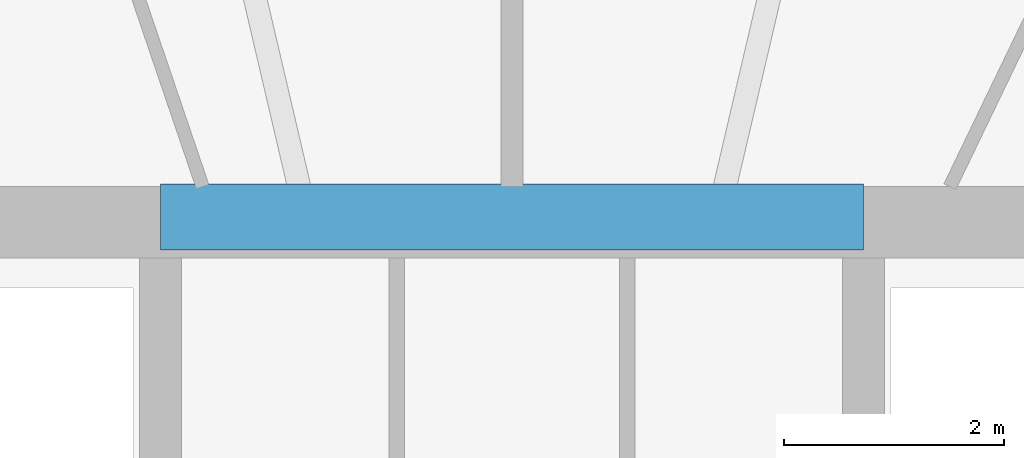
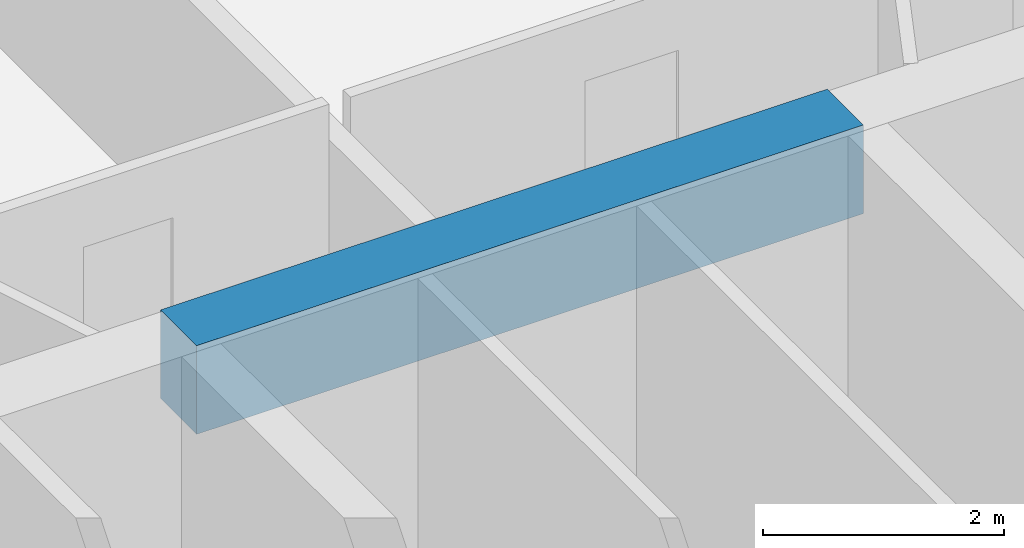
# One storey, part 8 of 27: 1 beam.
"""IFC4 building model written with IfcOpenShell, lengths in metres."""

from ifc_helpers import new_model, si_unit, direction, frame, origin, origin_2d, place, context, subcontext, project, spatial, rectangle, extrude, material, material_profile, profile_set, type_object, element, save


model = new_model("IFC4")

# Units and contexts
model_context = context("Model", 3, precision=1e-05, world=origin(), true_north=direction((-0.2419218956, 0.970295726276)))
body_context = subcontext(model_context, "Body", "Model", "MODEL_VIEW")
ifc_project = project(units=[si_unit("LENGTHUNIT", "METRE"), si_unit("AREAUNIT", "SQUARE_METRE"), si_unit("VOLUMEUNIT", "CUBIC_METRE"), si_unit("PLANEANGLEUNIT", "RADIAN"), si_unit("MASSUNIT", "GRAM", prefix="KILO")], contexts=[model_context])

# Site, building, storey
site_placement = place(None, origin())
site = spatial("IfcSite", under=ifc_project, at=site_placement, CompositionType="ELEMENT")
building_placement = place(site_placement, origin())
building = spatial("IfcBuilding", under=site, at=building_placement, Name="Cobrevalo Terracotta Tower", CompositionType="ELEMENT")
storey_placement = place(building_placement, frame((0.0, 0.0, 153.39990234375)))
storey = spatial("IfcBuildingStorey", under=building, at=storey_placement, Name="L40", CompositionType="ELEMENT", Elevation=153.39990234375)

# Beam
ifc_material = material(Name="Concrete C60", Category="concrete")
ifc_material_profile = material_profile(ifc_material, rectangle(XDim=0.60009765625, YDim=0.89990234375, at=origin_2d()), Name="RC CB 600x900")
ifc_profile_set = profile_set([ifc_material_profile], Name="Concrete C60")
beam_type = type_object("IfcBeamType", Name="Structural Beam RC CB 600x900 (Concrete C60)", PredefinedType="BEAM", material=ifc_profile_set)
beam_placement = place(storey_placement, frame((34.800048828125, 34.800048828125, 2.880126953125), z_axis=(1.0, 0.0, 0.0), x_axis=(0.0, 1.0, 0.0)))
element("IfcBeam", 1, at=beam_placement, inside=storey, type_object=beam_type, Name="L40 core coupling beam 2", PredefinedType="BEAM", context=body_context, shape_type="SweptSolid", body=[
    extrude(rectangle(XDim=0.60009765625, YDim=0.89990234375, at=origin_2d()), origin(), (0.0, 0.0, 1.0), 6.39990234375),
])

save(model, "model.ifc")
